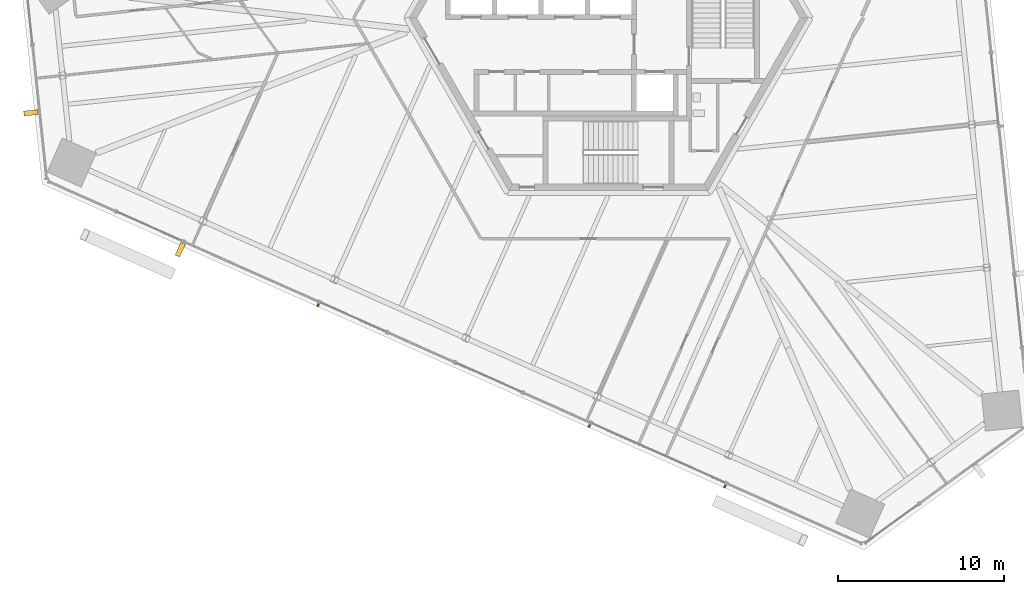
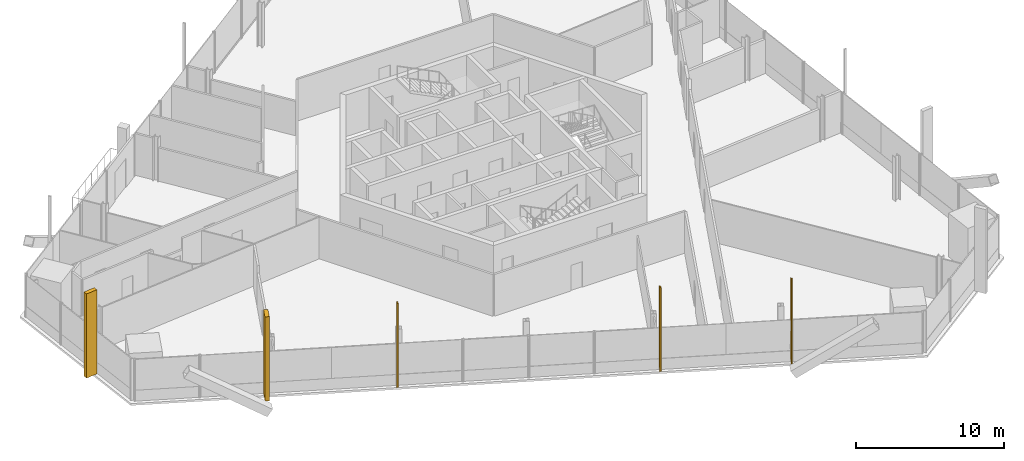
# One storey, part 15 of 21: 5 shading devices.
"""IFC4 building model written with IfcOpenShell, lengths in metres."""

from ifc_helpers import new_model, si_unit, direction, frame, origin, origin_2d, place, context, subcontext, project, spatial, rectangle, extrude, source, transform, mapped, material, element, save


model = new_model("IFC4")

# Units and contexts
model_context = context("Model", 3, precision=1e-05, world=origin(), true_north=direction((0.0, 1.0)))
body_context = subcontext(model_context, "Body", "Model", "MODEL_VIEW")
ifc_project = project(units=[si_unit("LENGTHUNIT", "METRE"), si_unit("AREAUNIT", "SQUARE_METRE"), si_unit("VOLUMEUNIT", "CUBIC_METRE"), si_unit("PLANEANGLEUNIT", "RADIAN"), si_unit("MASSUNIT", "GRAM", prefix="KILO")], contexts=[model_context])

# Site, building, storey
site_placement = place(None, origin())
site = spatial("IfcSite", under=ifc_project, at=site_placement, CompositionType="ELEMENT")
building_placement = place(site_placement, origin())
building = spatial("IfcBuilding", under=site, at=building_placement, Name="Triune Harvest Tower", CompositionType="ELEMENT")
storey_placement = place(building_placement, frame((0.0, 0.0, 87.300048828125)))
storey = spatial("IfcBuildingStorey", under=building, at=storey_placement, Name="L21", CompositionType="ELEMENT", Elevation=87.300048828125)

# Shading devices
ifc_material = material(Name="Aluminium bronze anodised", Category="aluminium")
shared_shape_1 = source(origin(), body_context, "Body", "SweptSolid", [
    extrude(rectangle(XDim=0.300048828125, YDim=0.85009765625, at=origin_2d()), origin(), (0.0, 0.0, 1.0), 6.949951171875),
])
for number, where, z_axis, x_axis, name in (
    (1, (-34.77587890625, -5.703125, 0.0), (0.0, 0.0, 1.0), (0.104529462601, -0.994521790334, 0.0), "FN-2 fin B2-F4.3 L21"),
    (2, (-25.78173828125, -13.941650390625, 0.0), (0.0, 0.0, 1.0), (0.913545207137, -0.406737205721, 0.0), "FN-2 fin B2-F5.3 L21"),
):
    element("IfcShadingDevice", number, at=place(storey_placement, frame(where, z_axis=z_axis, x_axis=x_axis)), inside=storey, material=ifc_material, Name=name, ObjectType="FIN", PredefinedType="USERDEFINED", context=body_context, shape_type="MappedRepresentation", body=[
        mapped(shared_shape_1, transform((0.0, 0.0, 0.0), scale=1.0)),
    ])
shared_shape_2 = source(origin(), body_context, "Body", "SweptSolid", [
    extrude(rectangle(XDim=0.10009765625, YDim=0.199951171875, at=origin_2d()), origin(), (0.0, 0.0, 1.0), 6.949951171875),
])
for number, where, z_axis, x_axis, name in (
    (3, (-17.4814453125, -17.281494140625, 0.0), (0.0, 0.0, 1.0), (0.913545207137, -0.406737205721, 0.0), "FN-1 fin B2-F5.5 L21"),
    (4, (-1.145263671875, -24.554931640625, 0.0), (0.0, 0.0, 1.0), (0.913545207137, -0.406737205721, 0.0), "FN-1 fin B2-F5.9 L21"),
    (5, (7.02294921875, -28.191650390625, 0.0), (0.0, 0.0, 1.0), (0.913545207137, -0.406737205721, 0.0), "FN-1 fin B2-F5.11 L21"),
):
    element("IfcShadingDevice", number, at=place(storey_placement, frame(where, z_axis=z_axis, x_axis=x_axis)), inside=storey, material=ifc_material, Name=name, ObjectType="FIN", PredefinedType="USERDEFINED", context=body_context, shape_type="MappedRepresentation", body=[
        mapped(shared_shape_2, transform((0.0, 0.0, 0.0), scale=1.0)),
    ])

save(model, "model.ifc")
